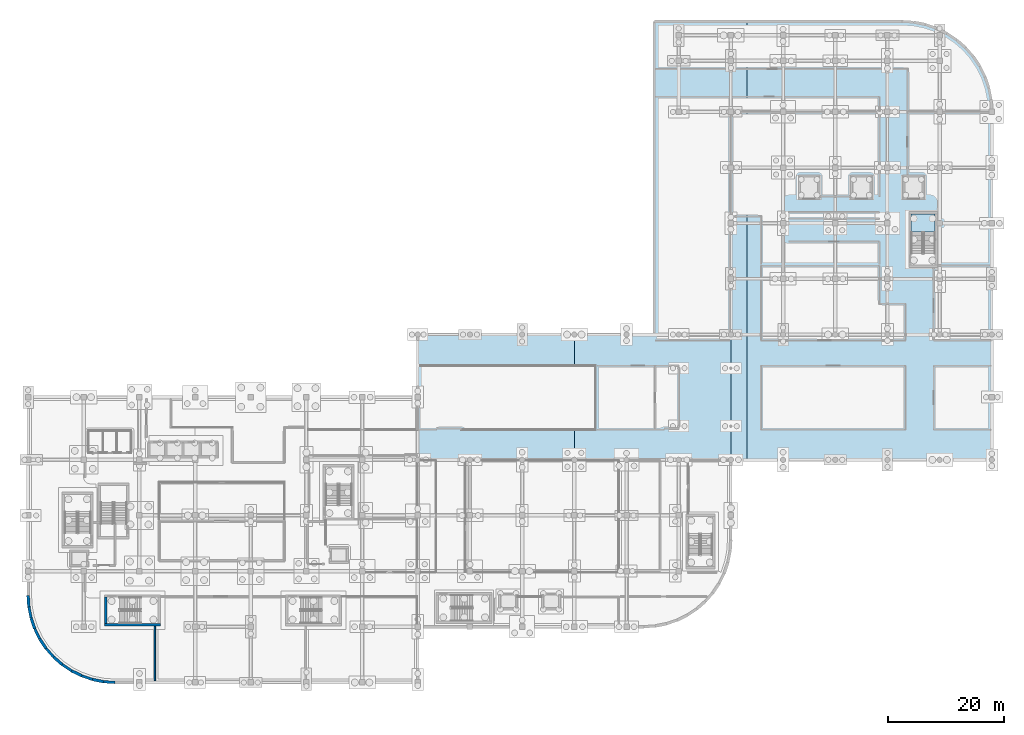
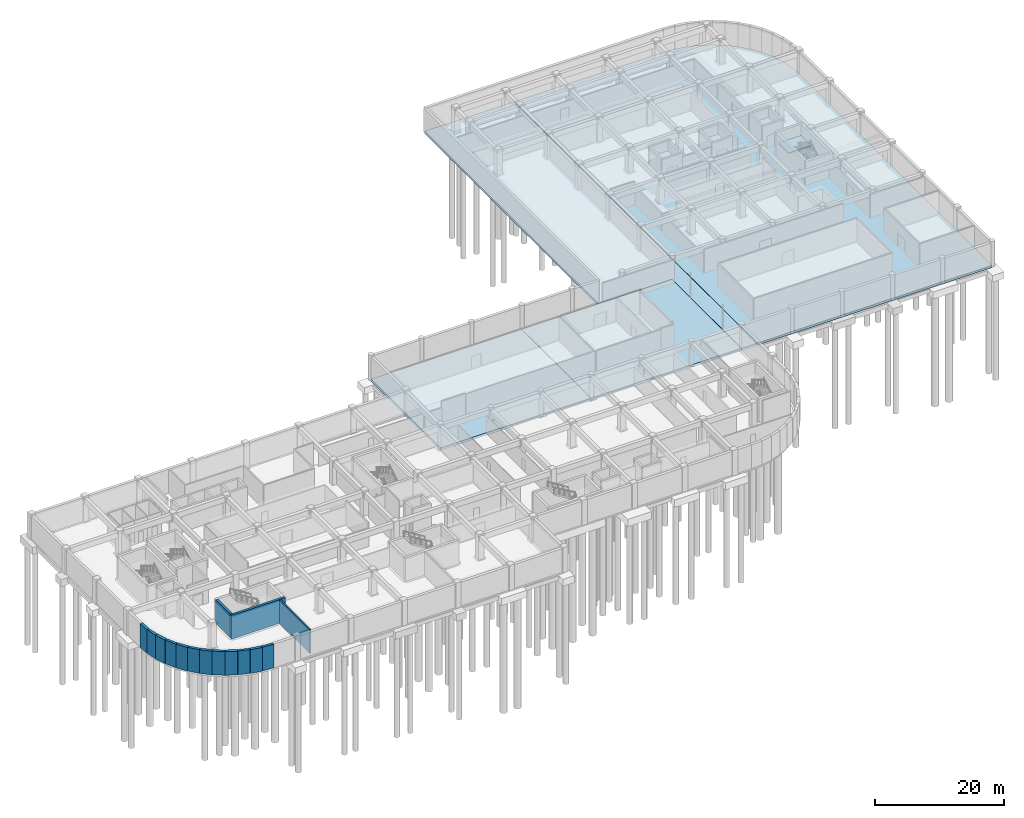
# One storey, part 12 of 47: 15 walls, 5 slabs, 1 element without a shape of its own.
"""IFC4 building model written with IfcOpenShell, lengths in metres."""

from ifc_helpers import new_model, si_unit, direction, frame, frame_2d, origin, place, context, subcontext, project, spatial, polyline, rectangle, outline, extrude, material, layer, layer_set, type_object, element, aggregate, save


model = new_model("IFC4")

# Units and contexts
model_context = context("Model", 3, precision=1e-05, world=origin(), true_north=direction((0.0, 1.0)))
body_context = subcontext(model_context, "Body", "Model", "MODEL_VIEW")
ifc_project = project(units=[si_unit("LENGTHUNIT", "METRE"), si_unit("AREAUNIT", "SQUARE_METRE"), si_unit("VOLUMEUNIT", "CUBIC_METRE"), si_unit("PLANEANGLEUNIT", "RADIAN"), si_unit("MASSUNIT", "GRAM", prefix="KILO")], contexts=[model_context])

# Site, building, storey
site_placement = place(None, origin())
site = spatial("IfcSite", under=ifc_project, at=site_placement, CompositionType="ELEMENT")
building_placement = place(site_placement, origin())
building = spatial("IfcBuilding", under=site, at=building_placement, Name="Cendralis Terraced Arcade", CompositionType="ELEMENT")
storey_placement = place(building_placement, frame((0.0, 0.0, -4.800048828125)))
storey = spatial("IfcBuildingStorey", under=building, at=storey_placement, Name="B1", CompositionType="ELEMENT", Elevation=-4.800048828125)

# Slabs
ifc_material_1 = material(Name="Concrete f'c 35 MPa", Category="concrete")
ifc_layer_1 = layer(ifc_material_1, 0.419921875, Name="SLB-BASE-420")
ifc_layer_set_1 = layer_set([ifc_layer_1], Name="Concrete f'c 35 MPa")
slab_type_1 = type_object("IfcSlabType", Name="SLB-BASE-420", PredefinedType="BASESLAB", material=ifc_layer_set_1)
slab_1_placement = place(storey_placement, frame((0.0, 0.0, -0.419921875)))
element("IfcSlab", 1, at=slab_1_placement, inside=storey, type_object=slab_type_1, Name="Reinforced Concrete Floor Slab SLB-B1-V5-C2-1", PredefinedType="BASESLAB", context=body_context, shape_type="SweptSolid", body=[
    extrude(outline(polyline([(124.0, 114.0), (124.0, 38.39990234375), (121.219970703125, 38.39990234375), (121.219970703125, 60.02001953125), (108.0, 60.02001953125), (108.0, 114.0), (124.0, 114.0)])), origin(), (0.0, 0.0, 1.0), 0.419921875),
])
slab_2_placement = place(storey_placement, frame((0.0, 0.0, -0.419921875)))
element("IfcSlab", 2, at=slab_2_placement, inside=storey, type_object=slab_type_1, Name="Reinforced Concrete Floor Slab SLB-B1-V5-E1-1", PredefinedType="BASESLAB", context=body_context, shape_type="SweptSolid", body=[
    extrude(outline(polyline([(152.72314453125, 113.867431640625), (154.711669921875, 113.471923828125), (156.631591796875, 112.820068359375), (158.449951171875, 111.92333984375), (160.1357421875, 110.797119140625), (161.66015625, 109.460205078125), (162.9970703125, 107.935791015625), (164.123291015625, 106.25), (165.02001953125, 104.431640625), (165.671875, 102.51171875), (166.0673828125, 100.523193359375), (166.199951171875, 98.5), (166.199951171875, 38.39990234375), (124.02001953125, 38.39990234375), (124.02001953125, 114.0), (150.699951171875, 114.0), (152.72314453125, 113.867431640625)])), origin(), (0.0, 0.0, 1.0), 0.419921875),
])
ifc_layer_2 = layer(ifc_material_1, 0.449951171875, Name="SLB-BASE-450")
ifc_layer_set_2 = layer_set([ifc_layer_2], Name="Concrete f'c 35 MPa")
slab_type_2 = type_object("IfcSlabType", Name="SLB-BASE-450", PredefinedType="BASESLAB", material=ifc_layer_set_2)
slab_3_placement = place(storey_placement, frame((0.0, 0.0, -0.449951171875)))
element("IfcSlab", 3, at=slab_3_placement, inside=storey, type_object=slab_type_2, Name="Reinforced Concrete Floor Slab SLB-B1-V2-C1-1", PredefinedType="BASESLAB", context=body_context, shape_type="SweptSolid", body=[
    extrude(outline(polyline([(94.199951171875, 60.0), (94.199951171875, 38.39990234375), (67.219970703125, 38.39990234375), (67.199951171875, 60.0), (94.199951171875, 60.0)])), origin(), (0.0, 0.0, 1.0), 0.449951171875),
])
slab_4_placement = place(storey_placement, frame((0.0, 0.0, -0.449951171875)))
element("IfcSlab", 4, at=slab_4_placement, inside=storey, type_object=slab_type_2, Name="Reinforced Concrete Floor Slab SLB-B1-V2-C2-1", PredefinedType="BASESLAB", context=body_context, shape_type="SweptSolid", body=[
    extrude(outline(polyline([(121.199951171875, 38.39990234375), (94.219970703125, 38.39990234375), (94.219970703125, 60.0), (121.199951171875, 60.0), (121.199951171875, 38.39990234375)])), origin(), (0.0, 0.0, 1.0), 0.449951171875),
])

# Stair, slab
stair_type = type_object("IfcStairType", Name="STR-W195-H480", PredefinedType="HALF_TURN_STAIR", material=ifc_material_1)
stair_placement = place(storey_placement, origin())
stair = element("IfcStair", 5, at=stair_placement, inside=storey, type_object=stair_type, Name="B1 Protected Exit Stair ST-06", PredefinedType="HALF_TURN_STAIR")
ifc_layer_3 = layer(ifc_material_1, 0.199951171875, Name="SLB-STAIR-LND-200")
ifc_layer_set_3 = layer_set([ifc_layer_3], Name="Concrete f'c 35 MPa")
slab_type_3 = type_object("IfcSlabType", Name="SLB-STAIR-LND-200", PredefinedType="LANDING", material=ifc_layer_set_3)
slab_5_placement = place(storey_placement, frame((0.0, 0.0, 2.199951171875)))
slab_5 = element("IfcSlab", 6, at=slab_5_placement, type_object=slab_type_3, Name="ST-06 landing 1", PredefinedType="LANDING", context=body_context, shape_type="SweptSolid", body=[
    extrude(outline(polyline([(156.39990234375, 77.655029296875), (156.39990234375, 80.800048828125), (152.300048828125, 80.800048828125), (152.300048828125, 77.655029296875), (156.39990234375, 77.655029296875)])), origin(), (0.0, 0.0, 1.0), 0.2001953125),
])
aggregate(stair, [slab_5])

# Walls
ifc_material_2 = material(Name="Concrete f'c 42 MPa", Category="concrete")
ifc_layer_4 = layer(ifc_material_2, 0.419921875, Name="WL-CORE-420")
ifc_layer_set_4 = layer_set([ifc_layer_4], Name="Concrete f'c 42 MPa")
wall_type_1 = type_object("IfcWallType", Name="WL-CORE-420", PredefinedType="SHEAR", material=ifc_layer_set_4)
wall_1_placement = place(storey_placement, frame((13.179931640625, 9.989990234375, 0.0), z_axis=(0.0, 0.0, 1.0), x_axis=(1.0, 0.0, 0.0)))
element("IfcWall", 7, at=wall_1_placement, inside=storey, type_object=wall_type_1, Name="Stair Core Reinforced Concrete Shear Wall SW-ST-02-B1-S", PredefinedType="SHEAR", context=body_context, shape_type="SweptSolid", body=[
    extrude(rectangle(XDim=9.64013671875, YDim=0.419921875, at=frame_2d((4.820068359375, 0.0))), origin(), (0.0, 0.0, 1.0), 4.5),
])
wall_2_placement = place(storey_placement, frame((13.389892578125, 10.199951171875, 0.0), z_axis=(0.0, 0.0, 1.0), x_axis=(0.0, 1.0, 0.0)))
element("IfcWall", 8, at=wall_2_placement, inside=storey, type_object=wall_type_1, Name="Stair Core Reinforced Concrete Shear Wall SW-ST-02-B1-W", PredefinedType="SHEAR", context=body_context, shape_type="SweptSolid", body=[
    extrude(rectangle(XDim=4.5, YDim=0.419921875, at=frame_2d((2.25, 0.0))), origin(), (0.0, 0.0, 1.0), 4.5),
])
ifc_material_3 = material(Name="Autoclaved aerated concrete blockwork", Category="masonry")
ifc_layer_5 = layer(ifc_material_3, 0.260009765625, Name="WL-FIRE-260")
ifc_layer_set_5 = layer_set([ifc_layer_5], Name="Autoclaved aerated concrete blockwork")
wall_type_2 = type_object("IfcWallType", Name="WL-FIRE-260", PredefinedType="PARTITIONING", material=ifc_layer_set_5)
wall_3_placement = place(storey_placement, frame((21.8798828125, 9.659912109375, 0.0), z_axis=(0.0, 0.0, 1.0), x_axis=(0.0, -1.0, 0.0)))
element("IfcWall", 9, at=wall_3_placement, inside=storey, type_object=wall_type_2, Name="Interior Partition Wall IW-B1-0093", PredefinedType="PARTITIONING", context=body_context, shape_type="SweptSolid", body=[
    extrude(rectangle(XDim=9.31982421875, YDim=0.260009765625, at=frame_2d((4.659912109375, 0.0))), origin(), (0.0, 0.0, 1.0), 4.5),
])
ifc_layer_6 = layer(ifc_material_1, 0.449951171875, Name="WL-RET-450")
ifc_layer_set_6 = layer_set([ifc_layer_6], Name="Concrete f'c 35 MPa")
wall_type_3 = type_object("IfcWallType", Name="WL-RET-450", PredefinedType="USERDEFINED", material=ifc_layer_set_6)
for number, where, z_axis, x_axis, name in (
    (10, (15.0, 0.0, 0.0), (0.0, 0.0, 1.0), (-0.997856149912, 0.065445428286, 0.0), "Basement Reinforced Concrete Retaining Wall RW-B1-16"),
    (11, (11.11767578125, 0.510986328125, 0.0), (0.0, 0.0, 1.0), (-0.946901603487, 0.321523487965, 0.0), "Basement Reinforced Concrete Retaining Wall RW-B1-18"),
    (12, (7.5, 2.009521484375, 0.0), (0.0, 0.0, 1.0), (-0.831456371993, 0.555590048032, 0.0), "Basement Reinforced Concrete Retaining Wall RW-B1-20"),
    (13, (4.393310546875, 4.393310546875, 0.0), (0.0, 0.0, 1.0), (-0.659305812587, 0.751874886859, 0.0), "Basement Reinforced Concrete Retaining Wall RW-B1-22"),
    (14, (2.009521484375, 7.5, 0.0), (0.0, 0.0, 1.0), (-0.44222941271, 0.89690197153, 0.0), "Basement Reinforced Concrete Retaining Wall RW-B1-24"),
):
    element("IfcWall", number, at=place(storey_placement, frame(where, z_axis=z_axis, x_axis=x_axis)), inside=storey, type_object=wall_type_3, Name=name, ObjectType="RETAINING WALL", PredefinedType="USERDEFINED", context=body_context, shape_type="SweptSolid", body=[
        extrude(rectangle(XDim=1.962158203125, YDim=0.449951171875, at=frame_2d((0.98095703125, 0.0))), origin(), (0.0, 0.0, 1.0), 4.5),
    ])
wall_4_placement = place(storey_placement, frame((0.510986328125, 11.11767578125, 0.0), z_axis=(0.0, 0.0, 1.0), x_axis=(-0.194991295653, 0.980804972775, 0.0)))
element("IfcWall", 15, at=wall_4_placement, inside=storey, type_object=wall_type_3, Name="Basement Reinforced Concrete Retaining Wall RW-B1-26", ObjectType="RETAINING WALL", PredefinedType="USERDEFINED", context=body_context, shape_type="SweptSolid", body=[
    extrude(rectangle(XDim=1.9619140625, YDim=0.449951171875, at=frame_2d((0.98095703125, 0.0))), origin(), (0.0, 0.0, 1.0), 4.5),
])
ifc_layer_7 = layer(ifc_material_1, 0.5, Name="WL-RET-500")
ifc_layer_set_7 = layer_set([ifc_layer_7], Name="Concrete f'c 35 MPa")
wall_type_4 = type_object("IfcWallType", Name="WL-RET-500", PredefinedType="USERDEFINED", material=ifc_layer_set_7)
wall_5_placement = place(storey_placement, frame((13.0419921875, 0.12841796875, 0.0), z_axis=(0.0, 0.0, 1.0), x_axis=(-0.980804972775, 0.194991295653, 0.0)))
element("IfcWall", 16, at=wall_5_placement, inside=storey, type_object=wall_type_4, Name="Basement Reinforced Concrete Retaining Wall RW-B1-17", ObjectType="RETAINING WALL", PredefinedType="USERDEFINED", context=body_context, shape_type="SweptSolid", body=[
    extrude(rectangle(XDim=1.9619140625, YDim=0.5, at=frame_2d((0.98095703125, 0.0))), origin(), (0.0, 0.0, 1.0), 4.5),
])
for number, where, z_axis, x_axis, name in (
    (17, (9.259765625, 1.141845703125, 0.0), (0.0, 0.0, 1.0), (-0.89690197153, 0.44222941271, 0.0), "Basement Reinforced Concrete Retaining Wall RW-B1-19"),
    (18, (5.86865234375, 3.099609375, 0.0), (0.0, 0.0, 1.0), (-0.751874886859, 0.659305812587, 0.0), "Basement Reinforced Concrete Retaining Wall RW-B1-21"),
    (19, (3.099609375, 5.86865234375, 0.0), (0.0, 0.0, 1.0), (-0.555590048032, 0.831456371993, 0.0), "Basement Reinforced Concrete Retaining Wall RW-B1-23"),
    (20, (1.141845703125, 9.259765625, 0.0), (0.0, 0.0, 1.0), (-0.321523487965, 0.946901603487, 0.0), "Basement Reinforced Concrete Retaining Wall RW-B1-25"),
    (21, (0.12841796875, 13.0419921875, 0.0), (0.0, 0.0, 1.0), (-0.065445428286, 0.997856149912, 0.0), "Basement Reinforced Concrete Retaining Wall RW-B1-27"),
):
    element("IfcWall", number, at=place(storey_placement, frame(where, z_axis=z_axis, x_axis=x_axis)), inside=storey, type_object=wall_type_4, Name=name, ObjectType="RETAINING WALL", PredefinedType="USERDEFINED", context=body_context, shape_type="SweptSolid", body=[
        extrude(rectangle(XDim=1.962158203125, YDim=0.5, at=frame_2d((0.98095703125, 0.0))), origin(), (0.0, 0.0, 1.0), 4.5),
    ])

save(model, "model.ifc")
